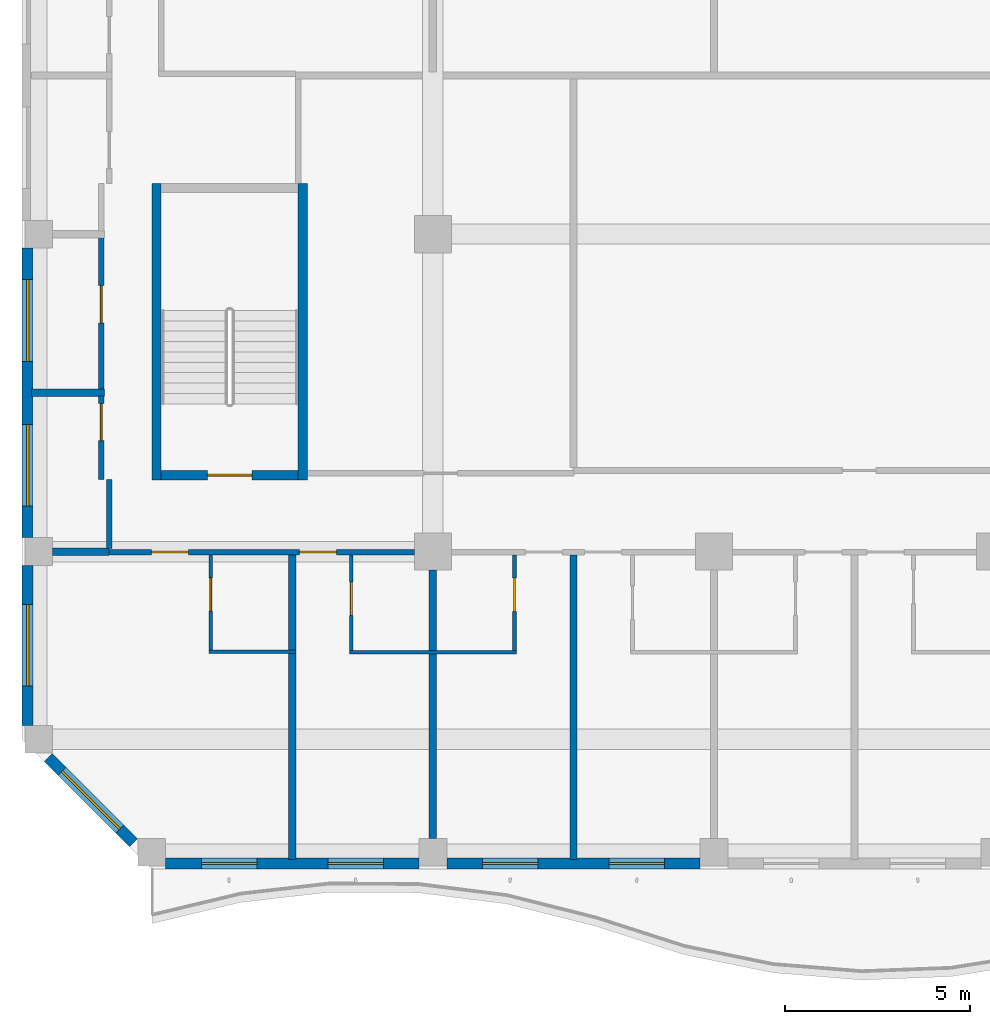
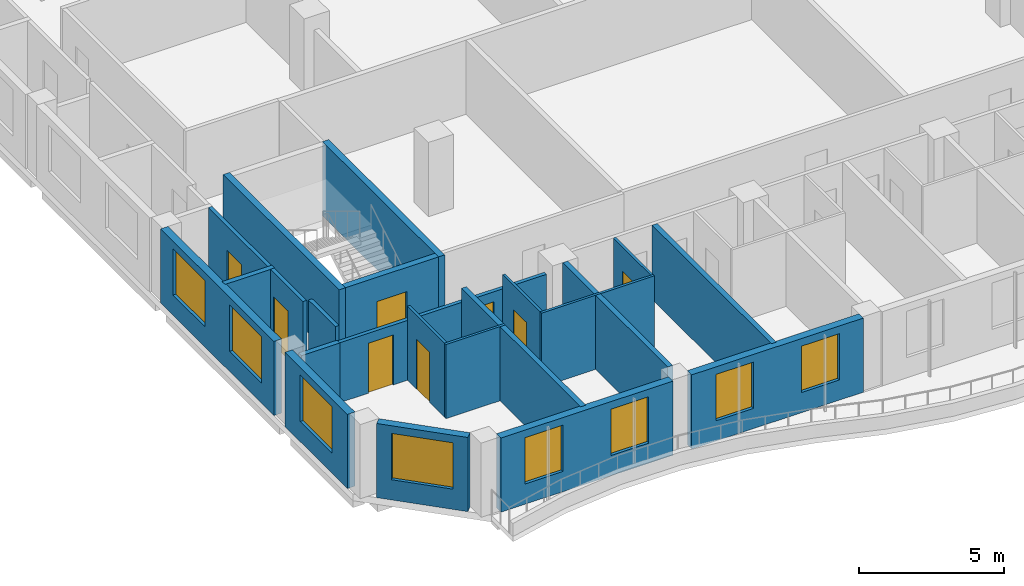
# One storey, part 2 of 23: 24 walls, 8 doors, 8 windows, 16 openings.
"""IFC4 building model written with IfcOpenShell, lengths in metres."""

from ifc_helpers import new_model, si_unit, direction, frame, frame_2d, origin, place, context, subcontext, project, spatial, rectangle, extrude, source, transform, mapped, material, layer, layer_set, type_object, element, fill, save


model = new_model("IFC4")

# Units and contexts
model_context = context("Model", 3, precision=1e-05, world=origin(), true_north=direction((0.0, 1.0)))
body_context = subcontext(model_context, "Body", "Model", "MODEL_VIEW")
ifc_project = project(units=[si_unit("LENGTHUNIT", "METRE"), si_unit("AREAUNIT", "SQUARE_METRE"), si_unit("VOLUMEUNIT", "CUBIC_METRE"), si_unit("PLANEANGLEUNIT", "RADIAN"), si_unit("MASSUNIT", "GRAM", prefix="KILO")], contexts=[model_context])

# Site, building, storey
site_placement = place(None, origin())
site = spatial("IfcSite", under=ifc_project, at=site_placement, CompositionType="ELEMENT")
building_placement = place(site_placement, origin())
building = spatial("IfcBuilding", under=site, at=building_placement, Name="Kilnfold Tower and Market Hall", CompositionType="ELEMENT")
storey_placement = place(building_placement, frame((0.0, 0.0, 203.300048828125)))
storey = spatial("IfcBuildingStorey", under=building, at=storey_placement, Name="L49", CompositionType="ELEMENT", Elevation=203.300048828125)

# Wall, openings, doors
ifc_material_1 = material(Name="Gypsum board on steel studs", Category="steel")
ifc_layer_1 = layer(ifc_material_1, 0.14990234375)
ifc_layer_set_1 = layer_set([ifc_layer_1], Name="Gypsum board on steel studs")
wall_type_1 = type_object("IfcWallType", Name="WALL CORRIDOR 150", PredefinedType="PARTITIONING", material=ifc_layer_set_1)
wall_1_placement = place(storey_placement, frame((-18.89990234375, -17.699951171875, 0.0), z_axis=(0.0, 0.0, 1.0), x_axis=(1.0, 0.0, 0.0)))
wall_1 = element("IfcWall", 1, at=wall_1_placement, inside=storey, type_object=wall_type_1, Name="Partition LY30.1", PredefinedType="PARTITIONING", context=body_context, shape_type="SweptSolid", body=[
    extrude(rectangle(XDim=8.23291015625, YDim=0.14990234375, at=frame_2d((4.116455078125, 0.0))), origin(), (0.0, 0.0, 1.0), 2.52001953125),
])
opening_1_placement = place(wall_1_placement, frame((1.135009765625, 0.0, 0.0)))
opening_1 = element("IfcOpeningElement", 2, at=opening_1_placement, cuts=wall_1, Name="Opening D1", PredefinedType="OPENING", context=body_context, shape_type="SweptSolid", body=[
    extrude(rectangle(XDim=1.0, YDim=2.10009765625, at=frame_2d((0.5, 1.050048828125))), frame((0.0, 0.0849609375, 0.0), z_axis=(0.0, -1.0, 0.0), x_axis=(1.0, 0.0, 0.0)), (0.0, 0.0, 1.0), 0.169921875),
])
opening_2_placement = place(wall_1_placement, frame((5.131103515625, 0.0, 0.0)))
opening_2 = element("IfcOpeningElement", 3, at=opening_2_placement, cuts=wall_1, Name="Opening D1", PredefinedType="OPENING", context=body_context, shape_type="SweptSolid", body=[
    extrude(rectangle(XDim=1.0, YDim=2.10009765625, at=frame_2d((0.5, 1.050048828125))), frame((0.0, 0.0849609375, 0.0), z_axis=(0.0, -1.0, 0.0), x_axis=(1.0, 0.0, 0.0)), (0.0, 0.0, 1.0), 0.169921875),
])
ifc_material_2 = material(Name="Timber veneer door leaf in steel frame", Category="steel")
door_type_1 = type_object("IfcDoorType", Name="DOOR ENTRY 1000 X2100", OperationType="NOTDEFINED", PredefinedType="DOOR", material=ifc_material_2)
door_1_placement = place(opening_1_placement, origin())
door_1 = element("IfcDoor", 4, at=door_1_placement, inside=storey, type_object=door_type_1, Name="Door D1", OperationType="SINGLE_SWING_RIGHT", OverallHeight=2.10009765625, OverallWidth=1.0, PredefinedType="DOOR", context=body_context, shape_type="SweptSolid", body=[
    extrude(rectangle(XDim=1.0, YDim=2.10009765625, at=frame_2d((0.5, 1.050048828125))), frame((0.0, 0.02490234375, 0.0), z_axis=(0.0, -1.0, 0.0), x_axis=(1.0, 0.0, 0.0)), (0.0, 0.0, 1.0), 0.050048828125),
])
fill(opening_1, door_1)
door_2_placement = place(opening_2_placement, origin())
door_2 = element("IfcDoor", 5, at=door_2_placement, inside=storey, type_object=door_type_1, Name="Door D1", OperationType="SINGLE_SWING_LEFT", OverallHeight=2.10009765625, OverallWidth=1.0, PredefinedType="DOOR", context=body_context, shape_type="SweptSolid", body=[
    extrude(rectangle(XDim=1.0, YDim=2.10009765625, at=frame_2d((0.5, 1.050048828125))), frame((0.0, 0.02490234375, 0.0), z_axis=(0.0, -1.0, 0.0), x_axis=(1.0, 0.0, 0.0)), (0.0, 0.0, 1.0), 0.050048828125),
])
fill(opening_2, door_2)

# Wall
wall_2_placement = place(storey_placement, frame((-18.89990234375, -17.597900390625, 0.0), z_axis=(0.0, 0.0, 1.0), x_axis=(0.0, 1.0, 0.0)))
element("IfcWall", 6, at=wall_2_placement, inside=storey, type_object=wall_type_1, Name="Partition LY30.9", PredefinedType="PARTITIONING", context=body_context, shape_type="SweptSolid", body=[
    extrude(rectangle(XDim=1.85498046875, YDim=0.14990234375, at=frame_2d((0.927490234375, 0.0))), origin(), (0.0, 0.0, 1.0), 3.119873046875),
])

# Wall, opening, door
wall_3_placement = place(storey_placement, frame((-19.113037109375, -15.742919921875, 0.0), z_axis=(0.0, 0.0, 1.0), x_axis=(0.0, 1.0, 0.0)))
wall_3 = element("IfcWall", 7, at=wall_3_placement, inside=storey, type_object=wall_type_1, Name="Partition LY30.10", PredefinedType="PARTITIONING", context=body_context, shape_type="SweptSolid", body=[
    extrude(rectangle(XDim=2.246826171875, YDim=0.14990234375, at=frame_2d((1.12353515625, 0.0))), origin(), (0.0, 0.0, 1.0), 3.119873046875),
])
opening_3_placement = place(wall_3_placement, frame((1.047119140625, 0.0, 0.0)))
opening_3 = element("IfcOpeningElement", 8, at=opening_3_placement, cuts=wall_3, Name="Opening D4", PredefinedType="OPENING", context=body_context, shape_type="SweptSolid", body=[
    extrude(rectangle(XDim=1.0, YDim=2.10009765625, at=frame_2d((0.5, 1.050048828125))), frame((0.0, 0.0849609375, 0.0), z_axis=(0.0, -1.0, 0.0), x_axis=(1.0, 0.0, 0.0)), (0.0, 0.0, 1.0), 0.169921875),
])
ifc_material_3 = material(Name="Timber veneer door leaf in steel frame", Category="steel")
door_type_2 = type_object("IfcDoorType", Name="DOOR SERVICE 1000 X2100", OperationType="NOTDEFINED", PredefinedType="DOOR", material=ifc_material_3)
door_3_placement = place(opening_3_placement, origin())
door_3 = element("IfcDoor", 9, at=door_3_placement, inside=storey, type_object=door_type_2, Name="Door D4", OperationType="SINGLE_SWING_LEFT", OverallHeight=2.10009765625, OverallWidth=1.0, PredefinedType="DOOR", context=body_context, shape_type="SweptSolid", body=[
    extrude(rectangle(XDim=1.0, YDim=2.10009765625, at=frame_2d((0.5, 1.050048828125))), frame((0.0, 0.02490234375, 0.0), z_axis=(0.0, -1.0, 0.0), x_axis=(1.0, 0.0, 0.0)), (0.0, 0.0, 1.0), 0.050048828125),
])
fill(opening_3, door_3)

wall_4_placement = place(storey_placement, frame((-19.113037109375, -13.31591796875, 0.0), z_axis=(0.0, 0.0, 1.0), x_axis=(0.0, 1.0, 0.0)))
wall_4 = element("IfcWall", 10, at=wall_4_placement, inside=storey, type_object=wall_type_1, Name="Partition LY30.11", PredefinedType="PARTITIONING", context=body_context, shape_type="SweptSolid", body=[
    extrude(rectangle(XDim=4.100830078125, YDim=0.14990234375, at=frame_2d((2.05029296875, 0.0))), origin(), (0.0, 0.0, 1.0), 3.119873046875),
])
opening_4_placement = place(wall_4_placement, frame((1.801025390625, 0.0, 0.0)))
opening_4 = element("IfcOpeningElement", 11, at=opening_4_placement, cuts=wall_4, Name="Opening D4", PredefinedType="OPENING", context=body_context, shape_type="SweptSolid", body=[
    extrude(rectangle(XDim=1.0, YDim=2.10009765625, at=frame_2d((0.5, 1.050048828125))), frame((0.0, 0.0849609375, 0.0), z_axis=(0.0, -1.0, 0.0), x_axis=(1.0, 0.0, 0.0)), (0.0, 0.0, 1.0), 0.169921875),
])
door_4_placement = place(opening_4_placement, origin())
door_4 = element("IfcDoor", 12, at=door_4_placement, inside=storey, type_object=door_type_2, Name="Door D4", OperationType="SINGLE_SWING_RIGHT", OverallHeight=2.10009765625, OverallWidth=1.0, PredefinedType="DOOR", context=body_context, shape_type="SweptSolid", body=[
    extrude(rectangle(XDim=1.0, YDim=2.10009765625, at=frame_2d((0.5, 1.050048828125))), frame((0.0, 0.02490234375, 0.0), z_axis=(0.0, -1.0, 0.0), x_axis=(1.0, 0.0, 0.0)), (0.0, 0.0, 1.0), 0.050048828125),
])
fill(opening_4, door_4)

ifc_material_4 = material(Name="Gypsum board on steel studs", Category="steel")
ifc_layer_2 = layer(ifc_material_4, 0.10009765625)
ifc_layer_set_2 = layer_set([ifc_layer_2], Name="Gypsum board on steel studs")
wall_type_2 = type_object("IfcWallType", Name="WALL PARTITION 100", PredefinedType="PARTITIONING", material=ifc_layer_set_2)
wall_5_placement = place(storey_placement, frame((-16.158935546875, -20.337890625, 0.0), z_axis=(0.0, 0.0, 1.0), x_axis=(0.0, 1.0, 0.0)))
wall_5 = element("IfcWall", 13, at=wall_5_placement, inside=storey, type_object=wall_type_2, Name="Partition LY30.42", PredefinedType="PARTITIONING", context=body_context, shape_type="SweptSolid", body=[
    extrude(rectangle(XDim=2.560791015625, YDim=0.10009765625, at=frame_2d((1.2802734375, 0.0))), origin(), (0.0, 0.0, 1.0), 3.119873046875),
])
opening_5_placement = place(wall_5_placement, frame((1.041015625, 0.0, 0.0)))
opening_5 = element("IfcOpeningElement", 14, at=opening_5_placement, cuts=wall_5, Name="Opening D3", PredefinedType="OPENING", context=body_context, shape_type="SweptSolid", body=[
    extrude(rectangle(XDim=0.89990234375, YDim=2.10009765625, at=frame_2d((0.449951171875, 1.050048828125))), frame((0.0, 0.06005859375, 0.0), z_axis=(0.0, -1.0, 0.0), x_axis=(1.0, 0.0, 0.0)), (0.0, 0.0, 1.0), 0.1201171875),
])
ifc_material_5 = material(Name="Timber veneer door leaf in steel frame", Category="steel")
door_type_3 = type_object("IfcDoorType", Name="DOOR WC 900 X2100", OperationType="NOTDEFINED", PredefinedType="DOOR", material=ifc_material_5)
door_5_placement = place(opening_5_placement, origin())
door_5 = element("IfcDoor", 15, at=door_5_placement, inside=storey, type_object=door_type_3, Name="Door D3", OperationType="SINGLE_SWING_LEFT", OverallHeight=2.10009765625, OverallWidth=0.89990234375, PredefinedType="DOOR", context=body_context, shape_type="SweptSolid", body=[
    extrude(rectangle(XDim=0.89990234375, YDim=2.10009765625, at=frame_2d((0.449951171875, 1.050048828125))), frame((0.0, 0.02490234375, 0.0), z_axis=(0.0, -1.0, 0.0), x_axis=(1.0, 0.0, 0.0)), (0.0, 0.0, 1.0), 0.050048828125),
])
fill(opening_5, door_5)

# Wall
wall_6_placement = place(storey_placement, frame((-16.208984375, -20.387939453125, 0.0), z_axis=(0.0, 0.0, 1.0), x_axis=(1.0, 0.0, 0.0)))
element("IfcWall", 16, at=wall_6_placement, inside=storey, type_object=wall_type_2, Name="Partition LY30.43", PredefinedType="PARTITIONING", context=body_context, shape_type="SweptSolid", body=[
    extrude(rectangle(XDim=2.35009765625, YDim=0.10009765625, at=frame_2d((1.175048828125, 0.0))), origin(), (0.0, 0.0, 1.0), 3.119873046875),
])

# Wall, opening, door
wall_7_placement = place(storey_placement, frame((-12.366943359375, -20.35205078125, 0.0), z_axis=(0.0, 0.0, 1.0), x_axis=(0.0, 1.0, 0.0)))
wall_7 = element("IfcWall", 17, at=wall_7_placement, inside=storey, type_object=wall_type_2, Name="Partition LY30.47", PredefinedType="PARTITIONING", context=body_context, shape_type="SweptSolid", body=[
    extrude(rectangle(XDim=2.574951171875, YDim=0.10009765625, at=frame_2d((1.28759765625, 0.0))), origin(), (0.0, 0.0, 1.0), 3.119873046875),
])
opening_6_placement = place(wall_7_placement, frame((0.944091796875, 0.0, 0.0)))
opening_6 = element("IfcOpeningElement", 18, at=opening_6_placement, cuts=wall_7, Name="Opening D3", PredefinedType="OPENING", context=body_context, shape_type="SweptSolid", body=[
    extrude(rectangle(XDim=0.89990234375, YDim=2.10009765625, at=frame_2d((0.449951171875, 1.050048828125))), frame((0.0, 0.06005859375, 0.0), z_axis=(0.0, -1.0, 0.0), x_axis=(1.0, 0.0, 0.0)), (0.0, 0.0, 1.0), 0.1201171875),
])
door_6_placement = place(opening_6_placement, origin())
door_6 = element("IfcDoor", 19, at=door_6_placement, inside=storey, type_object=door_type_3, Name="Door D3", OperationType="SINGLE_SWING_RIGHT", OverallHeight=2.10009765625, OverallWidth=0.89990234375, PredefinedType="DOOR", context=body_context, shape_type="SweptSolid", body=[
    extrude(rectangle(XDim=0.89990234375, YDim=2.10009765625, at=frame_2d((0.449951171875, 1.050048828125))), frame((0.0, 0.02490234375, 0.0), z_axis=(0.0, -1.0, 0.0), x_axis=(1.0, 0.0, 0.0)), (0.0, 0.0, 1.0), 0.050048828125),
])
fill(opening_6, door_6)

# Wall
wall_8_placement = place(storey_placement, frame((-12.4169921875, -20.402099609375, 0.0), z_axis=(0.0, 0.0, 1.0), x_axis=(1.0, 0.0, 0.0)))
element("IfcWall", 20, at=wall_8_placement, inside=storey, type_object=wall_type_2, Name="Partition LY30.48", PredefinedType="PARTITIONING", context=body_context, shape_type="SweptSolid", body=[
    extrude(rectangle(XDim=4.5, YDim=0.10009765625, at=frame_2d((2.25, 0.0))), origin(), (0.0, 0.0, 1.0), 3.119873046875),
])

# Wall, opening, door
wall_9_placement = place(storey_placement, frame((-7.967041015625, -17.777099609375, 0.0), z_axis=(0.0, 0.0, 1.0), x_axis=(0.0, -1.0, 0.0)))
wall_9 = element("IfcWall", 21, at=wall_9_placement, inside=storey, type_object=wall_type_2, Name="Partition LY30.51", PredefinedType="PARTITIONING", context=body_context, shape_type="SweptSolid", body=[
    extrude(rectangle(XDim=2.574951171875, YDim=0.10009765625, at=frame_2d((1.28759765625, 0.0))), origin(), (0.0, 0.0, 1.0), 3.119873046875),
])
opening_7_placement = place(wall_9_placement, frame((0.625, 0.0, 0.0)))
opening_7 = element("IfcOpeningElement", 22, at=opening_7_placement, cuts=wall_9, Name="Opening D3", PredefinedType="OPENING", context=body_context, shape_type="SweptSolid", body=[
    extrude(rectangle(XDim=0.89990234375, YDim=2.10009765625, at=frame_2d((0.449951171875, 1.050048828125))), frame((0.0, 0.06005859375, 0.0), z_axis=(0.0, -1.0, 0.0), x_axis=(1.0, 0.0, 0.0)), (0.0, 0.0, 1.0), 0.1201171875),
])
door_7_placement = place(opening_7_placement, origin())
door_7 = element("IfcDoor", 23, at=door_7_placement, inside=storey, type_object=door_type_3, Name="Door D3", OperationType="SINGLE_SWING_LEFT", OverallHeight=2.10009765625, OverallWidth=0.89990234375, PredefinedType="DOOR", context=body_context, shape_type="SweptSolid", body=[
    extrude(rectangle(XDim=0.89990234375, YDim=2.10009765625, at=frame_2d((0.449951171875, 1.050048828125))), frame((0.0, 0.02490234375, 0.0), z_axis=(0.0, -1.0, 0.0), x_axis=(1.0, 0.0, 0.0)), (0.0, 0.0, 1.0), 0.050048828125),
])
fill(opening_7, door_7)

# Walls
ifc_material_6 = material(Name="Gypsum board on steel studs", Category="steel")
ifc_layer_3 = layer(ifc_material_6, 0.199951171875)
ifc_layer_set_3 = layer_set([ifc_layer_3], Name="Gypsum board on steel studs")
wall_type_3 = type_object("IfcWallType", Name="WALL PARTY 200", PredefinedType="PARTITIONING", material=ifc_layer_set_3)
wall_10_placement = place(storey_placement, frame((-13.958984375, -26.0, 0.0), z_axis=(0.0, 0.0, 1.0), x_axis=(0.0, 1.0, 0.0)))
element("IfcWall", 24, at=wall_10_placement, inside=storey, type_object=wall_type_3, Name="Partition LY30.44", PredefinedType="PARTITIONING", context=body_context, shape_type="SweptSolid", body=[
    extrude(rectangle(XDim=5.56201171875, YDim=0.199951171875, at=frame_2d((2.781005859375, 0.0))), origin(), (0.0, 0.0, 1.0), 3.119873046875),
])
wall_11_placement = place(storey_placement, frame((-20.425048828125, -17.68798828125, 0.0), z_axis=(0.0, 0.0, 1.0), x_axis=(1.0, 0.0, 0.0)))
element("IfcWall", 25, at=wall_11_placement, inside=storey, type_object=wall_type_3, Name="Partition LY30.45", PredefinedType="PARTITIONING", context=body_context, shape_type="SweptSolid", body=[
    extrude(rectangle(XDim=1.52294921875, YDim=0.199951171875, at=frame_2d((0.761474609375, 0.0))), origin(), (0.0, 0.0, 1.0), 2.52001953125),
])
wall_12_placement = place(storey_placement, frame((-13.958984375, -20.337890625, 0.0), z_axis=(0.0, 0.0, 1.0), x_axis=(0.0, 1.0, 0.0)))
element("IfcWall", 26, at=wall_12_placement, inside=storey, type_object=wall_type_3, Name="Partition LY30.46", PredefinedType="PARTITIONING", context=body_context, shape_type="SweptSolid", body=[
    extrude(rectangle(XDim=2.560791015625, YDim=0.199951171875, at=frame_2d((1.2802734375, 0.0))), origin(), (0.0, 0.0, 1.0), 3.119873046875),
])
wall_13_placement = place(storey_placement, frame((-10.1669921875, -25.425048828125, 0.0), z_axis=(0.0, 0.0, 1.0), x_axis=(0.0, 1.0, 0.0)))
element("IfcWall", 27, at=wall_13_placement, inside=storey, type_object=wall_type_3, Name="Partition LY30.49", PredefinedType="PARTITIONING", context=body_context, shape_type="SweptSolid", body=[
    extrude(rectangle(XDim=4.97314453125, YDim=0.199951171875, at=frame_2d((2.486572265625, 0.0))), origin(), (0.0, 0.0, 1.0), 3.119873046875),
])
wall_14_placement = place(storey_placement, frame((-10.1669921875, -20.35205078125, 0.0), z_axis=(0.0, 0.0, 1.0), x_axis=(0.0, 1.0, 0.0)))
element("IfcWall", 28, at=wall_14_placement, inside=storey, type_object=wall_type_3, Name="Partition LY30.50", PredefinedType="PARTITIONING", context=body_context, shape_type="SweptSolid", body=[
    extrude(rectangle(XDim=2.1640625, YDim=0.199951171875, at=frame_2d((1.08203125, 0.0))), origin(), (0.0, 0.0, 1.0), 3.119873046875),
])
wall_15_placement = place(storey_placement, frame((-6.375, -26.0, 0.0), z_axis=(0.0, 0.0, 1.0), x_axis=(0.0, 1.0, 0.0)))
element("IfcWall", 29, at=wall_15_placement, inside=storey, type_object=wall_type_3, Name="Partition LY30.52", PredefinedType="PARTITIONING", context=body_context, shape_type="SweptSolid", body=[
    extrude(rectangle(XDim=8.222900390625, YDim=0.199951171875, at=frame_2d((4.111328125, 0.0))), origin(), (0.0, 0.0, 1.0), 3.119873046875),
])
wall_16_placement = place(storey_placement, frame((-19.027099609375, -13.406005859375, 0.0), z_axis=(0.0, 0.0, 1.0), x_axis=(-1.0, 0.0, 0.0)))
element("IfcWall", 30, at=wall_16_placement, inside=storey, type_object=wall_type_3, Name="Partition LY30.83", PredefinedType="PARTITIONING", context=body_context, shape_type="SweptSolid", body=[
    extrude(rectangle(XDim=1.972900390625, YDim=0.199951171875, at=frame_2d((0.986328125, 0.0))), origin(), (0.0, 0.0, 1.0), 3.119873046875),
])

# Wall, opening, door
ifc_material_7 = material(Name="Concrete C60", Category="concrete")
ifc_layer_4 = layer(ifc_material_7, 0.25)
ifc_layer_set_4 = layer_set([ifc_layer_4], Name="Concrete C60")
wall_type_4 = type_object("IfcWallType", Name="CORE WALL 250 C60", PredefinedType="SHEAR", material=ifc_layer_set_4)
shared_shape_1 = source(origin(), body_context, "Body", "SweptSolid", [
    extrude(rectangle(XDim=3.699951171875, YDim=0.25, at=frame_2d((1.85009765625, 0.0))), origin(), (0.0, 0.0, 1.0), 3.119873046875),
])
wall_17_placement = place(storey_placement, frame((-17.5, -15.625, 0.0), z_axis=(0.0, 0.0, 1.0), x_axis=(1.0, 0.0, 0.0)))
wall_17 = element("IfcWall", 31, at=wall_17_placement, inside=storey, type_object=wall_type_4, Name="Stair enclosure ST3", PredefinedType="SHEAR", context=body_context, shape_type="MappedRepresentation", body=[
    mapped(shared_shape_1, transform((0.0, 0.0, 0.0))),
])
opening_8_placement = place(wall_17_placement, frame((1.25, 0.0, 0.0)))
opening_8 = element("IfcOpeningElement", 32, at=opening_8_placement, cuts=wall_17, Name="Opening SD1", PredefinedType="OPENING", context=body_context, shape_type="SweptSolid", body=[
    extrude(rectangle(XDim=1.199951171875, YDim=2.10009765625, at=frame_2d((0.60009765625, 1.050048828125))), frame((0.0, 0.135009765625, 0.0), z_axis=(0.0, -1.0, 0.0), x_axis=(1.0, 0.0, 0.0)), (0.0, 0.0, 1.0), 0.27001953125),
])
ifc_material_8 = material(Name="Steel door set with fire-resisting leaf", Category="steel")
door_type_4 = type_object("IfcDoorType", Name="STAIR FLOOR DOOR 1200X2100", OperationType="NOTDEFINED", PredefinedType="DOOR", material=ifc_material_8)
door_8_placement = place(opening_8_placement, origin())
door_8 = element("IfcDoor", 33, at=door_8_placement, inside=storey, type_object=door_type_4, Name="Exit stair ST3 door", OperationType="DOUBLE_DOOR_SINGLE_SWING", OverallHeight=2.10009765625, OverallWidth=1.199951171875, PredefinedType="DOOR", context=body_context, shape_type="SweptSolid", body=[
    extrude(rectangle(XDim=1.199951171875, YDim=2.10009765625, at=frame_2d((0.60009765625, 1.050048828125))), frame((0.0, 0.02490234375, 0.0), z_axis=(0.0, -1.0, 0.0), x_axis=(1.0, 0.0, 0.0)), (0.0, 0.0, 1.0), 0.050048828125),
])
fill(opening_8, door_8)

# Walls
shared_shape_2 = source(origin(), body_context, "Body", "SweptSolid", [
    extrude(rectangle(XDim=8.0, YDim=0.25, at=frame_2d((4.0, 0.0))), origin(), (0.0, 0.0, 1.0), 3.119873046875),
])
for number, where, z_axis, x_axis, name in (
    (34, (-17.625, -15.75, 0.0), (0.0, 0.0, 1.0), (0.0, 1.0, 0.0), "Stair enclosure ST3"),
    (35, (-13.675048828125, -15.75, 0.0), (0.0, 0.0, 1.0), (0.0, 1.0, 0.0), "Stair enclosure ST3"),
):
    element("IfcWall", number, at=place(storey_placement, frame(where, z_axis=z_axis, x_axis=x_axis)), inside=storey, type_object=wall_type_4, Name=name, PredefinedType="SHEAR", context=body_context, shape_type="MappedRepresentation", body=[
        mapped(shared_shape_2, transform((0.0, 0.0, 0.0))),
    ])

# Wall, openings, windows
ifc_material_9 = material(Name="Precast concrete C50/60", Category="concrete")
ifc_layer_5 = layer(ifc_material_9, 0.300048828125)
ifc_layer_set_5 = layer_set([ifc_layer_5], Name="Precast concrete C50/60")
wall_type_5 = type_object("IfcWallType", Name="PRECAST WALL 300", PredefinedType="SOLIDWALL", material=ifc_layer_set_5)
shared_shape_3 = source(origin(), body_context, "Body", "SweptSolid", [
    extrude(rectangle(XDim=6.833251953125, YDim=0.300048828125, at=frame_2d((3.41650390625, 0.0))), origin(), (0.0, 0.0, 1.0), 3.119873046875),
])
wall_18_placement = place(storey_placement, frame((-17.375, -26.10009765625, 0.0), z_axis=(0.0, 0.0, 1.0), x_axis=(1.0, 0.0, 0.0)))
wall_18 = element("IfcWall", 36, at=wall_18_placement, inside=storey, type_object=wall_type_5, Name="External wall L49 S", PredefinedType="SOLIDWALL", context=body_context, shape_type="MappedRepresentation", body=[
    mapped(shared_shape_3, transform((0.0, 0.0, 0.0))),
])
opening_9_placement = place(wall_18_placement, frame((0.95849609375, 0.0, 0.85009765625)))
opening_9 = element("IfcOpeningElement", 37, at=opening_9_placement, cuts=wall_18, Name="Opening W4", PredefinedType="OPENING", context=body_context, shape_type="SweptSolid", body=[
    extrude(rectangle(XDim=1.5, YDim=1.949951171875, at=frame_2d((0.75, 0.97509765625))), frame((0.0, 0.16015625, 0.0), z_axis=(0.0, -1.0, 0.0), x_axis=(1.0, 0.0, 0.0)), (0.0, 0.0, 1.0), 0.320068359375),
])
opening_10_placement = place(wall_18_placement, frame((4.375, 0.0, 0.85009765625)))
opening_10 = element("IfcOpeningElement", 38, at=opening_10_placement, cuts=wall_18, Name="Opening W4", PredefinedType="OPENING", context=body_context, shape_type="SweptSolid", body=[
    extrude(rectangle(XDim=1.5, YDim=1.949951171875, at=frame_2d((0.75, 0.97509765625))), frame((0.0, 0.16015625, 0.0), z_axis=(0.0, -1.0, 0.0), x_axis=(1.0, 0.0, 0.0)), (0.0, 0.0, 1.0), 0.320068359375),
])
ifc_material_10 = material(Name="Aluminium frame and double glazing", Category="aluminium")
window_type_1 = type_object("IfcWindowType", Name="WINDOW W4 1500X1950", PartitioningType="SINGLE_PANEL", PredefinedType="WINDOW", material=ifc_material_10)
window_1_placement = place(opening_9_placement, origin())
window_1 = element("IfcWindow", 39, at=window_1_placement, inside=storey, type_object=window_type_1, Name="Window W4 L49 S-1", OverallHeight=1.949951171875, OverallWidth=1.5, PartitioningType="SINGLE_PANEL", PredefinedType="WINDOW", context=body_context, shape_type="SweptSolid", body=[
    extrude(rectangle(XDim=1.5, YDim=1.949951171875, at=frame_2d((0.75, 0.97509765625))), frame((0.0, 0.030029296875, 0.0), z_axis=(0.0, -1.0, 0.0), x_axis=(1.0, 0.0, 0.0)), (0.0, 0.0, 1.0), 0.06005859375),
])
fill(opening_9, window_1)
window_2_placement = place(opening_10_placement, origin())
window_2 = element("IfcWindow", 40, at=window_2_placement, inside=storey, type_object=window_type_1, Name="Window W4 L49 S-2", OverallHeight=1.949951171875, OverallWidth=1.5, PartitioningType="SINGLE_PANEL", PredefinedType="WINDOW", context=body_context, shape_type="SweptSolid", body=[
    extrude(rectangle(XDim=1.5, YDim=1.949951171875, at=frame_2d((0.75, 0.97509765625))), frame((0.0, 0.030029296875, 0.0), z_axis=(0.0, -1.0, 0.0), x_axis=(1.0, 0.0, 0.0)), (0.0, 0.0, 1.0), 0.06005859375),
])
fill(opening_10, window_2)

shared_shape_4 = source(origin(), body_context, "Body", "SweptSolid", [
    extrude(rectangle(XDim=6.83349609375, YDim=0.300048828125, at=frame_2d((3.416748046875, 0.0))), origin(), (0.0, 0.0, 1.0), 3.119873046875),
])
wall_19_placement = place(storey_placement, frame((-9.791748046875, -26.10009765625, 0.0), z_axis=(0.0, 0.0, 1.0), x_axis=(1.0, 0.0, 0.0)))
wall_19 = element("IfcWall", 41, at=wall_19_placement, inside=storey, type_object=wall_type_5, Name="External wall L49 S", PredefinedType="SOLIDWALL", context=body_context, shape_type="MappedRepresentation", body=[
    mapped(shared_shape_4, transform((0.0, 0.0, 0.0))),
])
opening_11_placement = place(wall_19_placement, frame((0.958251953125, 0.0, 0.85009765625)))
opening_11 = element("IfcOpeningElement", 42, at=opening_11_placement, cuts=wall_19, Name="Opening W4", PredefinedType="OPENING", context=body_context, shape_type="SweptSolid", body=[
    extrude(rectangle(XDim=1.5, YDim=1.949951171875, at=frame_2d((0.75, 0.97509765625))), frame((0.0, 0.16015625, 0.0), z_axis=(0.0, -1.0, 0.0), x_axis=(1.0, 0.0, 0.0)), (0.0, 0.0, 1.0), 0.320068359375),
])
opening_12_placement = place(wall_19_placement, frame((4.375, 0.0, 0.85009765625)))
opening_12 = element("IfcOpeningElement", 43, at=opening_12_placement, cuts=wall_19, Name="Opening W4", PredefinedType="OPENING", context=body_context, shape_type="SweptSolid", body=[
    extrude(rectangle(XDim=1.5, YDim=1.949951171875, at=frame_2d((0.75, 0.97509765625))), frame((0.0, 0.16015625, 0.0), z_axis=(0.0, -1.0, 0.0), x_axis=(1.0, 0.0, 0.0)), (0.0, 0.0, 1.0), 0.320068359375),
])
window_3_placement = place(opening_11_placement, origin())
window_3 = element("IfcWindow", 44, at=window_3_placement, inside=storey, type_object=window_type_1, Name="Window W4 L49 S-1", OverallHeight=1.949951171875, OverallWidth=1.5, PartitioningType="SINGLE_PANEL", PredefinedType="WINDOW", context=body_context, shape_type="SweptSolid", body=[
    extrude(rectangle(XDim=1.5, YDim=1.949951171875, at=frame_2d((0.75, 0.97509765625))), frame((0.0, 0.030029296875, 0.0), z_axis=(0.0, -1.0, 0.0), x_axis=(1.0, 0.0, 0.0)), (0.0, 0.0, 1.0), 0.06005859375),
])
fill(opening_11, window_3)
window_4_placement = place(opening_12_placement, origin())
window_4 = element("IfcWindow", 45, at=window_4_placement, inside=storey, type_object=window_type_1, Name="Window W4 L49 S-2", OverallHeight=1.949951171875, OverallWidth=1.5, PartitioningType="SINGLE_PANEL", PredefinedType="WINDOW", context=body_context, shape_type="SweptSolid", body=[
    extrude(rectangle(XDim=1.5, YDim=1.949951171875, at=frame_2d((0.75, 0.97509765625))), frame((0.0, 0.030029296875, 0.0), z_axis=(0.0, -1.0, 0.0), x_axis=(1.0, 0.0, 0.0)), (0.0, 0.0, 1.0), 0.06005859375),
])
fill(opening_12, window_4)

shared_shape_5 = source(origin(), body_context, "Body", "SweptSolid", [
    extrude(rectangle(XDim=7.8125, YDim=0.300048828125, at=frame_2d((3.90625, 0.0))), origin(), (0.0, 0.0, 1.0), 3.119873046875),
])
wall_20_placement = place(storey_placement, frame((-21.10009765625, -9.5, 0.0), z_axis=(0.0, 0.0, 1.0), x_axis=(0.0, -1.0, 0.0)))
wall_20 = element("IfcWall", 46, at=wall_20_placement, inside=storey, type_object=wall_type_5, Name="External wall L49 W", PredefinedType="SOLIDWALL", context=body_context, shape_type="MappedRepresentation", body=[
    mapped(shared_shape_5, transform((0.0, 0.0, 0.0))),
])
opening_13_placement = place(wall_20_placement, frame((0.85302734375, 0.0, 0.85009765625)))
opening_13 = element("IfcOpeningElement", 47, at=opening_13_placement, cuts=wall_20, Name="Opening W2", PredefinedType="OPENING", context=body_context, shape_type="SweptSolid", body=[
    extrude(rectangle(XDim=2.199951171875, YDim=1.949951171875, at=frame_2d((1.10009765625, 0.97509765625))), frame((0.0, 0.16015625, 0.0), z_axis=(0.0, -1.0, 0.0), x_axis=(1.0, 0.0, 0.0)), (0.0, 0.0, 1.0), 0.320068359375),
])
opening_14_placement = place(wall_20_placement, frame((4.75927734375, 0.0, 0.85009765625)))
opening_14 = element("IfcOpeningElement", 48, at=opening_14_placement, cuts=wall_20, Name="Opening W2", PredefinedType="OPENING", context=body_context, shape_type="SweptSolid", body=[
    extrude(rectangle(XDim=2.199951171875, YDim=1.949951171875, at=frame_2d((1.10009765625, 0.97509765625))), frame((0.0, 0.16015625, 0.0), z_axis=(0.0, -1.0, 0.0), x_axis=(1.0, 0.0, 0.0)), (0.0, 0.0, 1.0), 0.320068359375),
])
ifc_material_11 = material(Name="Aluminium frame and double glazing", Category="aluminium")
window_type_2 = type_object("IfcWindowType", Name="WINDOW W2 2200X1950", PartitioningType="SINGLE_PANEL", PredefinedType="WINDOW", material=ifc_material_11)
window_5_placement = place(opening_13_placement, origin())
window_5 = element("IfcWindow", 49, at=window_5_placement, inside=storey, type_object=window_type_2, Name="Window W2 L49 W-1", OverallHeight=1.949951171875, OverallWidth=2.199951171875, PartitioningType="SINGLE_PANEL", PredefinedType="WINDOW", context=body_context, shape_type="SweptSolid", body=[
    extrude(rectangle(XDim=2.199951171875, YDim=1.949951171875, at=frame_2d((1.10009765625, 0.97509765625))), frame((0.0, 0.030029296875, 0.0), z_axis=(0.0, -1.0, 0.0), x_axis=(1.0, 0.0, 0.0)), (0.0, 0.0, 1.0), 0.06005859375),
])
fill(opening_13, window_5)
window_6_placement = place(opening_14_placement, origin())
window_6 = element("IfcWindow", 50, at=window_6_placement, inside=storey, type_object=window_type_2, Name="Window W2 L49 W-2", OverallHeight=1.949951171875, OverallWidth=2.199951171875, PartitioningType="SINGLE_PANEL", PredefinedType="WINDOW", context=body_context, shape_type="SweptSolid", body=[
    extrude(rectangle(XDim=2.199951171875, YDim=1.949951171875, at=frame_2d((1.10009765625, 0.97509765625))), frame((0.0, 0.030029296875, 0.0), z_axis=(0.0, -1.0, 0.0), x_axis=(1.0, 0.0, 0.0)), (0.0, 0.0, 1.0), 0.06005859375),
])
fill(opening_14, window_6)

# Wall, opening, window
shared_shape_6 = source(origin(), body_context, "Body", "SweptSolid", [
    extrude(rectangle(XDim=4.3125, YDim=0.300048828125, at=frame_2d((2.15625, 0.0))), origin(), (0.0, 0.0, 1.0), 3.119873046875),
])
wall_21_placement = place(storey_placement, frame((-21.10009765625, -18.0625, 0.0), z_axis=(0.0, 0.0, 1.0), x_axis=(0.0, -1.0, 0.0)))
wall_21 = element("IfcWall", 51, at=wall_21_placement, inside=storey, type_object=wall_type_5, Name="External wall L49 W", PredefinedType="SOLIDWALL", context=body_context, shape_type="MappedRepresentation", body=[
    mapped(shared_shape_6, transform((0.0, 0.0, 0.0))),
])
opening_15_placement = place(wall_21_placement, frame((1.05615234375, 0.0, 0.85009765625)))
opening_15 = element("IfcOpeningElement", 52, at=opening_15_placement, cuts=wall_21, Name="Opening W2", PredefinedType="OPENING", context=body_context, shape_type="SweptSolid", body=[
    extrude(rectangle(XDim=2.199951171875, YDim=1.949951171875, at=frame_2d((1.10009765625, 0.97509765625))), frame((0.0, 0.16015625, 0.0), z_axis=(0.0, -1.0, 0.0), x_axis=(1.0, 0.0, 0.0)), (0.0, 0.0, 1.0), 0.320068359375),
])
window_7_placement = place(opening_15_placement, origin())
window_7 = element("IfcWindow", 53, at=window_7_placement, inside=storey, type_object=window_type_2, Name="Window W2 L49 W-1", OverallHeight=1.949951171875, OverallWidth=2.199951171875, PartitioningType="SINGLE_PANEL", PredefinedType="WINDOW", context=body_context, shape_type="SweptSolid", body=[
    extrude(rectangle(XDim=2.199951171875, YDim=1.949951171875, at=frame_2d((1.10009765625, 0.97509765625))), frame((0.0, 0.030029296875, 0.0), z_axis=(0.0, -1.0, 0.0), x_axis=(1.0, 0.0, 0.0)), (0.0, 0.0, 1.0), 0.06005859375),
])
fill(opening_15, window_7)

shared_shape_7 = source(origin(), body_context, "Body", "SweptSolid", [
    extrude(rectangle(XDim=3.252685546875, YDim=0.300048828125, at=frame_2d((1.62646484375, 0.0))), origin(), (0.0, 0.0, 1.0), 3.119873046875),
])
wall_22_placement = place(storey_placement, frame((-20.5439453125, -23.243896484375, 0.0), z_axis=(0.0, 0.0, 1.0), x_axis=(0.707106781187, -0.707106781187, 0.0)))
wall_22 = element("IfcWall", 54, at=wall_22_placement, inside=storey, type_object=wall_type_5, Name="External wall L49 SW", PredefinedType="SOLIDWALL", context=body_context, shape_type="MappedRepresentation", body=[
    mapped(shared_shape_7, transform((0.0, 0.0, 0.0))),
])
opening_16_placement = place(wall_22_placement, frame((0.5263671875, 0.0, 0.85009765625)))
opening_16 = element("IfcOpeningElement", 55, at=opening_16_placement, cuts=wall_22, Name="Opening W2", PredefinedType="OPENING", context=body_context, shape_type="SweptSolid", body=[
    extrude(rectangle(XDim=2.199951171875, YDim=1.949951171875, at=frame_2d((1.10009765625, 0.97509765625))), frame((0.0, 0.16015625, 0.0), z_axis=(0.0, -1.0, 0.0), x_axis=(1.0, 0.0, 0.0)), (0.0, 0.0, 1.0), 0.320068359375),
])
window_8_placement = place(opening_16_placement, origin())
window_8 = element("IfcWindow", 56, at=window_8_placement, inside=storey, type_object=window_type_2, Name="Window W2 L49 SW-1", OverallHeight=1.949951171875, OverallWidth=2.199951171875, PartitioningType="SINGLE_PANEL", PredefinedType="WINDOW", context=body_context, shape_type="SweptSolid", body=[
    extrude(rectangle(XDim=2.199951171875, YDim=1.949951171875, at=frame_2d((1.10009765625, 0.97509765625))), frame((0.0, 0.030029296875, 0.0), z_axis=(0.0, -1.0, 0.0), x_axis=(1.0, 0.0, 0.0)), (0.0, 0.0, 1.0), 0.06005859375),
])
fill(opening_16, window_8)

save(model, "model.ifc")
